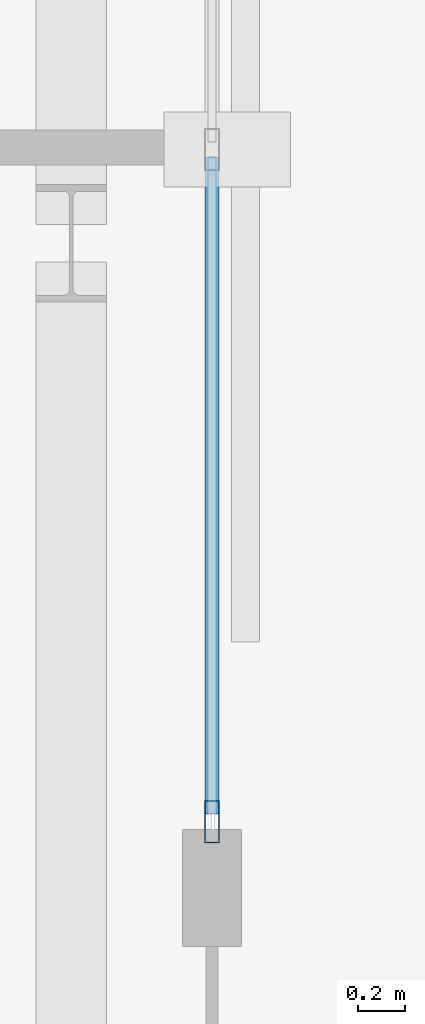
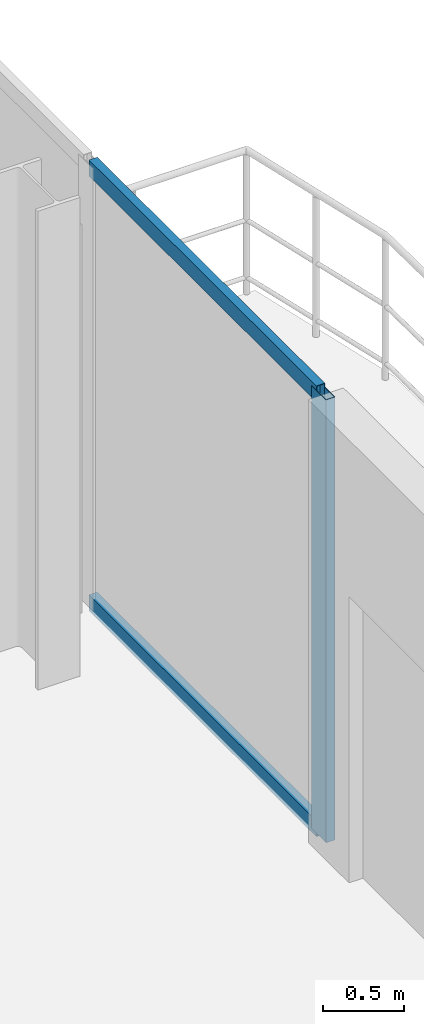
# One storey, part 14 of 23: 3 members, 1 element without a shape of its own.
"""IFC4 building model written with IfcOpenShell, lengths in metres."""

from ifc_helpers import new_model, si_unit, direction, frame, origin, origin_2d, place, context, subcontext, project, spatial, hollow_rectangle, extrude, material, layer, layer_set, material_profile, profile_set, type_object, element, aggregate, save


model = new_model("IFC4")

# Units and contexts
model_context = context("Model", 3, precision=1e-05, world=origin(), true_north=direction((0.0, 1.0)))
body_context = subcontext(model_context, "Body", "Model", "MODEL_VIEW")
ifc_project = project(units=[si_unit("LENGTHUNIT", "METRE"), si_unit("AREAUNIT", "SQUARE_METRE"), si_unit("VOLUMEUNIT", "CUBIC_METRE"), si_unit("PLANEANGLEUNIT", "RADIAN"), si_unit("MASSUNIT", "GRAM", prefix="KILO")], contexts=[model_context])

# Site, building, storey
site_placement = place(None, origin())
site = spatial("IfcSite", under=ifc_project, at=site_placement, CompositionType="ELEMENT")
building_placement = place(site_placement, origin())
building = spatial("IfcBuilding", under=site, at=building_placement, Name="Catumbela Crestline Tower", CompositionType="ELEMENT")
storey_placement = place(building_placement, frame((0.0, 0.0, 172.2)))
storey = spatial("IfcBuildingStorey", under=building, at=storey_placement, Name="L44", CompositionType="ELEMENT", Elevation=172.2)

# Curtain wall, members
ifc_material = material(Name="Aluminium alloy AW-6060-T66", Category="aluminium")
ifc_layer = layer(ifc_material, 0.18, Name="Aluminium alloy AW-6060-T66")
ifc_layer_set = layer_set([ifc_layer], Name="Aluminium alloy AW-6060-T66")
curtain_wall_type = type_object("IfcCurtainWallType", Name="CWU-Z3", PredefinedType="USERDEFINED", material=ifc_layer_set)
curtain_wall_placement = place(storey_placement, origin())
curtain_wall = element("IfcCurtainWall", 1, at=curtain_wall_placement, inside=storey, type_object=curtain_wall_type, Name="L44 Unitised Curtain Wall CW-L44-E5S2", ObjectType="UNITISED", PredefinedType="USERDEFINED")
ifc_material_profile_1 = material_profile(ifc_material, hollow_rectangle(XDim=0.065, YDim=0.18, WallThickness=0.004, at=origin_2d()), Name="ALU 180x65x4")
ifc_profile_set_1 = profile_set([ifc_material_profile_1], Name="Aluminium alloy AW-6060-T66")
member_type_1 = type_object("IfcMemberType", Name="MUL-180X65", PredefinedType="MULLION", material=ifc_profile_set_1)
member_1_placement = place(storey_placement, frame((51.0, 33.7325, 0.0), z_axis=(0.0, 0.0, 1.0), x_axis=(-1.0, 0.0, 0.0)))
member_1 = element("IfcMember", 2, at=member_1_placement, type_object=member_type_1, Name="CWU-Z3 mullion 1", PredefinedType="MULLION", context=body_context, shape_type="SweptSolid", body=[
    extrude(hollow_rectangle(XDim=0.065, YDim=0.18, WallThickness=0.004, at=origin_2d()), origin(), (0.0, 0.0, 1.0), 3.33),
])
ifc_material_profile_2 = material_profile(ifc_material, hollow_rectangle(XDim=0.06, YDim=0.12, WallThickness=0.0035, at=origin_2d()), Name="ALU 120x60x3.5")
ifc_profile_set_2 = profile_set([ifc_material_profile_2], Name="Aluminium alloy AW-6060-T66")
member_type_2 = type_object("IfcMemberType", Name="TRN-120X60", PredefinedType="USERDEFINED", material=ifc_profile_set_2)
member_2_placement = place(storey_placement, frame((51.0, 33.765, 0.03), z_axis=(0.0, 1.0, 0.0), x_axis=(-1.0, 0.0, 0.0)))
member_2 = element("IfcMember", 3, at=member_2_placement, type_object=member_type_2, Name="CWU-Z3 transom 1.1", ObjectType="TRANSOM", PredefinedType="USERDEFINED", context=body_context, shape_type="SweptSolid", body=[
    extrude(hollow_rectangle(XDim=0.06, YDim=0.12, WallThickness=0.0035, at=origin_2d()), origin(), (0.0, 0.0, 1.0), 2.8025),
])
member_3_placement = place(storey_placement, frame((51.0, 33.765, 3.3), z_axis=(0.0, 1.0, 0.0), x_axis=(-1.0, 0.0, 0.0)))
member_3 = element("IfcMember", 4, at=member_3_placement, type_object=member_type_2, Name="CWU-Z3 transom 1.2", ObjectType="TRANSOM", PredefinedType="USERDEFINED", context=body_context, shape_type="SweptSolid", body=[
    extrude(hollow_rectangle(XDim=0.06, YDim=0.12, WallThickness=0.0035, at=origin_2d()), origin(), (0.0, 0.0, 1.0), 2.8025),
])
aggregate(curtain_wall, [member_1, member_2, member_3])

save(model, "model.ifc")
